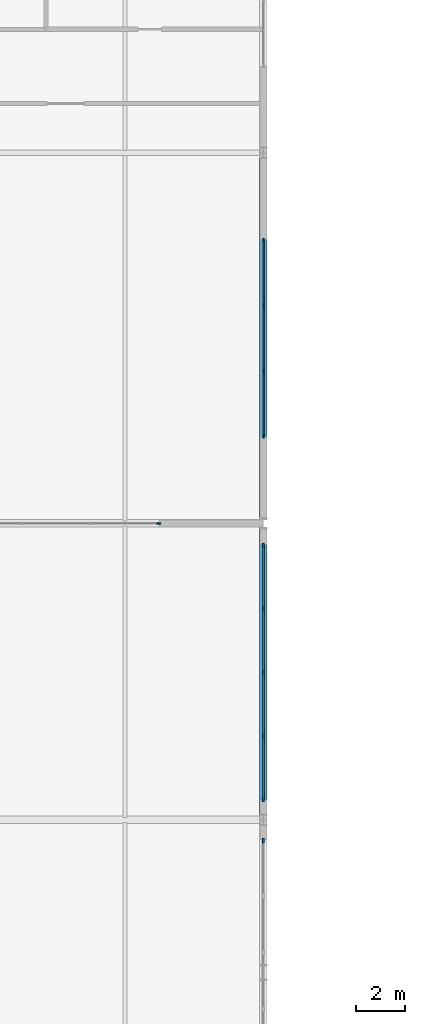
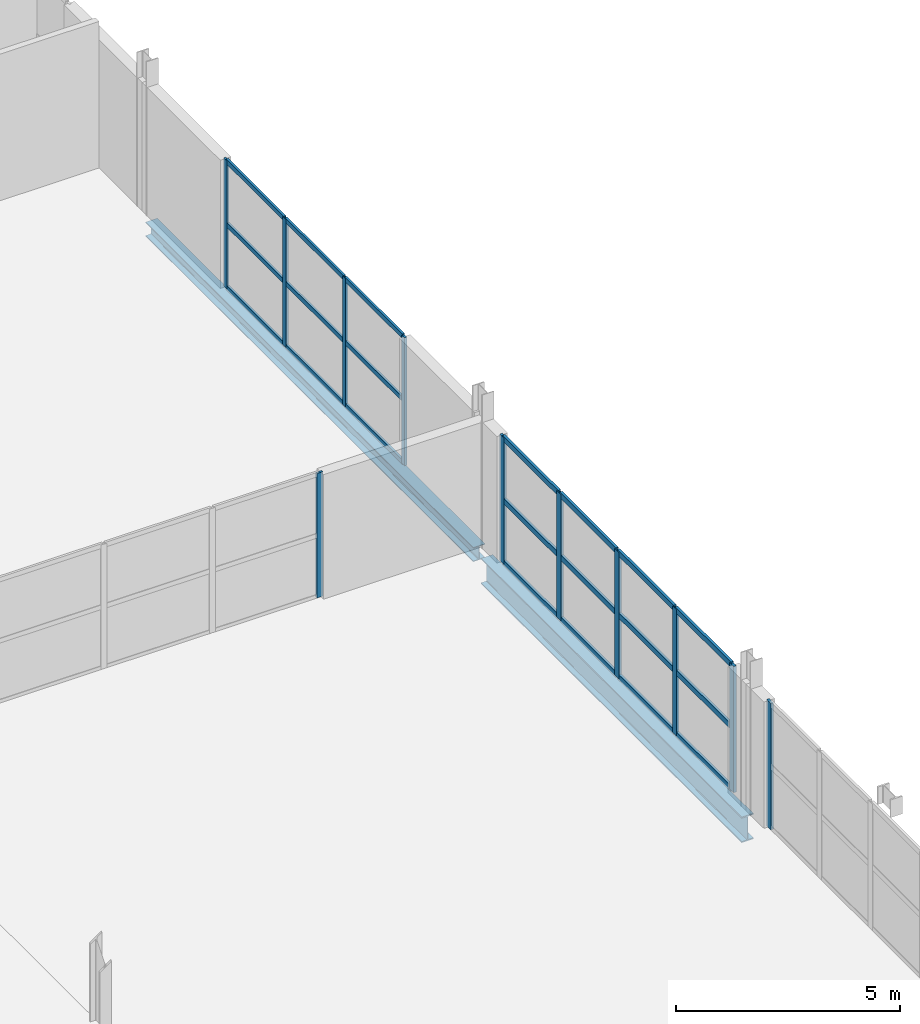
# One storey, part 21 of 39: 32 members, 2 beams, 4 elements without a shape of their own.
"""IFC4 building model written with IfcOpenShell, lengths in metres."""

import ifcopenshell
import ifcopenshell.guid

model = None  # the IFC model being written
_history = None  # IfcOwnerHistory: only IFC2X3 demands one
_inside = {}  # id of a spatial element -> (the spatial element, [elements in it])
_under = {}  # id of a project, library or spatial element -> (it, [spatial elements below it])
_declared = {}  # id of a project -> (the project, [libraries it declares])
_typed = {}  # id of a type object -> (the type object, [elements of that type])
_made_of = {}  # id of a material, layer set ... -> (it, [elements and type objects made of it])


def new_model(schema):
    """Start an empty IFC model of exactly this schema.

    Asked for "IFC4X3", IfcOpenShell would pick the latest addendum, in which some entities
    have other attributes; the version numbers below select the first issue.
    IFC2X3 requires an IfcOwnerHistory on every rooted entity: one is made here for all.
    """
    global model, _history
    if schema == "IFC4X3":
        model = ifcopenshell.file(schema_version=(4, 3, 0, 0))
    else:
        model = ifcopenshell.file(schema=schema)
    _inside.clear()
    _under.clear()
    _declared.clear()
    _typed.clear()
    _made_of.clear()
    _history = None
    if model.schema == "IFC2X3":
        org = make("IfcOrganization", Name="unknown")
        user = make(
            "IfcPersonAndOrganization",
            ThePerson=make("IfcPerson", FamilyName="unknown"),
            TheOrganization=org,
        )
        app = make(
            "IfcApplication",
            ApplicationDeveloper=org,
            Version="unknown",
            ApplicationFullName="unknown",
            ApplicationIdentifier="unknown",
        )
        _history = make(
            "IfcOwnerHistory",
            OwningUser=user,
            OwningApplication=app,
            ChangeAction="ADDED",
            CreationDate=0,
        )
    return model


def make(cls, **values):
    """One entity of the class cls with the attributes given. An attribute that is None is left unset."""
    return model.create_entity(
        cls, **{name: value for name, value in values.items() if value is not None}
    )


def rooted(cls, **values):
    """An entity with a GlobalId (a new one), such as an element, a storey or a relation."""
    return make(cls, GlobalId=ifcopenshell.guid.new(), OwnerHistory=_history, **values)


def si_unit(unit_type, name, prefix=None):
    """IfcSIUnit, for example si_unit("LENGTHUNIT", "METRE", prefix="MILLI")."""
    return make("IfcSIUnit", UnitType=unit_type, Prefix=prefix, Name=name)


def assignment(units):
    """IfcUnitAssignment: the units of a project."""
    return None if units is None else make("IfcUnitAssignment", Units=units)


def point(xyz):
    """IfcCartesianPoint."""
    return None if xyz is None else make("IfcCartesianPoint", Coordinates=xyz)


def direction(xyz):
    """IfcDirection."""
    return None if xyz is None else make("IfcDirection", DirectionRatios=xyz)


def frame(location, z_axis=None, x_axis=None):
    """IfcAxis2Placement3D, a coordinate frame: its origin and axes. An axis left out is left unset."""
    return make(
        "IfcAxis2Placement3D",
        Location=point(location),
        Axis=direction(z_axis),
        RefDirection=direction(x_axis),
    )


def frame_2d(location, x_axis=None):
    """IfcAxis2Placement2D, a coordinate frame in the plane: its origin and x axis."""
    return make(
        "IfcAxis2Placement2D", Location=point(location), RefDirection=direction(x_axis)
    )


def origin():
    """The frame at (0, 0, 0) with its axes left unset."""
    return frame((0.0, 0.0, 0.0))


def origin_2d():
    """The frame at (0, 0) in the plane with its x axis left unset."""
    return frame_2d((0.0, 0.0))


def place(relative_to, where):
    """IfcLocalPlacement: puts the frame where relative to a parent placement (None: the world)."""
    return make(
        "IfcLocalPlacement", PlacementRelTo=relative_to, RelativePlacement=where
    )


def context(
    kind, dimensions, precision=None, world=None, true_north=None, identifier=None
):
    """IfcGeometricRepresentationContext, for example the 3D "Model" context."""
    return make(
        "IfcGeometricRepresentationContext",
        ContextIdentifier=identifier,
        ContextType=kind,
        CoordinateSpaceDimension=dimensions,
        Precision=precision,
        WorldCoordinateSystem=world,
        TrueNorth=true_north,
    )


def subcontext(parent, identifier, kind, view, scale=None):
    """IfcGeometricRepresentationSubContext, for example "Body" below "Model"."""
    return make(
        "IfcGeometricRepresentationSubContext",
        ContextIdentifier=identifier,
        ContextType=kind,
        ParentContext=parent,
        TargetScale=scale,
        TargetView=view,
    )


def project(units=None, contexts=None):
    """IfcProject with its units and contexts."""
    return rooted(
        "IfcProject",
        Name="project",
        RepresentationContexts=contexts,
        UnitsInContext=assignment(units),
    )


def spatial(cls, under=None, at=None, **own):
    """A site, building, storey or space (cls), placed at a placement, below another one or the project."""
    s = rooted(cls, ObjectPlacement=at, **own)
    if under is not None:
        _under.setdefault(under.id(), (under, []))[1].append(s)
    return s


def profile(cls, at=None, kind="AREA", **sizes):
    """A parametric profile (cls). Its sizes go by their IFC names, for example OverallWidth=200.0."""
    return make(cls, ProfileType=kind, Position=at, **sizes)


def rectangle(**sizes):
    """IfcRectangleProfileDef."""
    return profile("IfcRectangleProfileDef", **sizes)


def i_section(**sizes):
    """IfcIShapeProfileDef."""
    return profile("IfcIShapeProfileDef", **sizes)


def extrude(swept, where, along, depth):
    """IfcExtrudedAreaSolid: the profile swept, set in the frame where, extruded along a direction by depth."""
    return make(
        "IfcExtrudedAreaSolid",
        SweptArea=swept,
        Position=where,
        ExtrudedDirection=direction(along),
        Depth=depth,
    )


def shape(context_of_items, identifier, shape_type, items):
    """IfcShapeRepresentation: the items that make up one representation, for example the "Body"."""
    return make(
        "IfcShapeRepresentation",
        ContextOfItems=context_of_items,
        RepresentationIdentifier=identifier,
        RepresentationType=shape_type,
        Items=items,
    )


def material(Name=None, Category=None):
    """IfcMaterial."""
    return make("IfcMaterial", Name=Name, Category=Category)


def material_profile(
    of_material, cross_section, Name=None, Category=None, Priority=None
):
    """IfcMaterialProfile: a cross section and its material."""
    return make(
        "IfcMaterialProfile",
        Name=Name,
        Material=of_material,
        Profile=cross_section,
        Priority=Priority,
        Category=Category,
    )


def profile_set(profiles, Name=None, composite=None):
    """IfcMaterialProfileSet."""
    return make(
        "IfcMaterialProfileSet",
        Name=Name,
        MaterialProfiles=profiles,
        CompositeProfile=composite,
    )


def made_of(thing, what):
    """Note that an element or type object is made of a material, layer set ...; save() writes the relation."""
    if what is not None:
        _made_of.setdefault(what.id(), (what, []))[1].append(thing)
    return thing


def type_object(cls, material=None, **own):
    """A type object (cls), such as IfcWallType, which elements share."""
    return made_of(rooted(cls, **own), material)


def element(
    cls,
    number,
    at=None,
    inside=None,
    cuts=None,
    type_object=None,
    material=None,
    context=None,
    identifier="Body",
    shape_type=None,
    held_by="IfcProductDefinitionShape",
    body=None,
    shapes=None,
    **own,
):
    """One element of the class cls, such as IfcWall. Its Tag is "e" and its number.

    at: its placement. inside: the storey or other place that contains it. cuts: it is an
    opening in that element (IfcRelVoidsElement). A single representation is given by context,
    identifier, shape_type and body (its items); several are given by shapes. held_by: the class
    of the entity that holds the representations. save() writes the other relations.
    """
    e = rooted(cls, Tag="e%d" % number, ObjectPlacement=at, **own)
    if body is not None:
        shapes = [shape(context, identifier, shape_type, body)]
    if shapes is not None:
        e.Representation = make(held_by, Representations=shapes)
    if inside is not None:
        _inside.setdefault(inside.id(), (inside, []))[1].append(e)
    if cuts is not None:
        rooted(
            "IfcRelVoidsElement", RelatingBuildingElement=cuts, RelatedOpeningElement=e
        )
    if type_object is not None:
        _typed.setdefault(type_object.id(), (type_object, []))[1].append(e)
    return made_of(e, material)


def aggregate(whole, parts):
    """IfcRelAggregates: a whole, such as a stair, and the parts it consists of."""
    return rooted("IfcRelAggregates", RelatingObject=whole, RelatedObjects=parts)


def save(model, path):
    """Write the relations noted so far, then the file.

    IfcRelAggregates (storeys below a building ...), IfcRelContainedInSpatialStructure (elements
    in a storey), IfcRelDefinesByType, IfcRelAssociatesMaterial and IfcRelDeclares: one each for
    every whole, place, type object, material and project.
    """
    for whole, parts in _under.values():
        aggregate(whole, parts)
    for where, things in _inside.values():
        rooted(
            "IfcRelContainedInSpatialStructure",
            RelatedElements=things,
            RelatingStructure=where,
        )
    for kind, things in _typed.values():
        rooted("IfcRelDefinesByType", RelatedObjects=things, RelatingType=kind)
    for what, things in _made_of.values():
        rooted("IfcRelAssociatesMaterial", RelatedObjects=things, RelatingMaterial=what)
    for by, libraries in _declared.values():
        rooted("IfcRelDeclares", RelatingContext=by, RelatedDefinitions=libraries)
    model.write(path)


model = new_model("IFC4")

# Units and contexts
model_context = context("Model", 3, precision=1e-05, world=origin(), true_north=direction((0.0, 1.0)))
body_context = subcontext(model_context, "Body", "Model", "MODEL_VIEW")
ifc_project = project(units=[si_unit("LENGTHUNIT", "METRE"), si_unit("AREAUNIT", "SQUARE_METRE"), si_unit("VOLUMEUNIT", "CUBIC_METRE"), si_unit("PLANEANGLEUNIT", "RADIAN"), si_unit("MASSUNIT", "GRAM", prefix="KILO")], contexts=[model_context])

# Site, building, storey
site_placement = place(None, origin())
site = spatial("IfcSite", under=ifc_project, at=site_placement, CompositionType="ELEMENT")
building_placement = place(site_placement, origin())
building = spatial("IfcBuilding", under=site, at=building_placement, Name="Kimbaza Rail Terminus", CompositionType="ELEMENT")
storey_placement = place(building_placement, frame((0.0, 0.0, 16.800048828125)))
storey = spatial("IfcBuildingStorey", under=building, at=storey_placement, Name="L03", CompositionType="ELEMENT", Elevation=16.800048828125)

# Curtain wall, member
ifc_material_1 = material(Name="Anodised aluminium framing and solar low-E glazing", Category="aluminium")
curtain_wall_type_1 = type_object("IfcCurtainWallType", Name="ARC-CW-BRG", PredefinedType="USERDEFINED", material=ifc_material_1)
curtain_wall_1_placement = place(storey_placement, origin())
curtain_wall_1 = element("IfcCurtainWall", 1, at=curtain_wall_1_placement, inside=storey, type_object=curtain_wall_type_1, Name="Over-Track Footbridge E Panoramic Curtain Wall 1", ObjectType="UNITISED CURTAIN WALL", PredefinedType="USERDEFINED")
ifc_material_2 = material(Name="Anodised architectural aluminium", Category="aluminium")
ifc_material_profile_1 = material_profile(ifc_material_2, rectangle(XDim=0.068115234375, YDim=0.18994140625, at=origin_2d()), Name="MULLION 68x190")
ifc_profile_set_1 = profile_set([ifc_material_profile_1], Name="Anodised architectural aluminium")
member_type_1 = type_object("IfcMemberType", Name="ARC-CWM-03", PredefinedType="MULLION", material=ifc_profile_set_1)
member_1_placement = place(storey_placement, frame((156.0, 90.166015625, 0.0), z_axis=(0.0, 0.0, 1.0), x_axis=(-1.0, 0.0, 0.0)))
member_1 = element("IfcMember", 2, at=member_1_placement, type_object=member_type_1, Name="CW-03 mullion 5", PredefinedType="MULLION", context=body_context, shape_type="SweptSolid", body=[
    extrude(rectangle(XDim=0.068115234375, YDim=0.18994140625, at=origin_2d()), origin(), (0.0, 0.0, 1.0), 3.449951171875),
])
aggregate(curtain_wall_1, [member_1])

# Curtain wall, members
curtain_wall_2_placement = place(storey_placement, origin())
curtain_wall_2 = element("IfcCurtainWall", 3, at=curtain_wall_2_placement, inside=storey, type_object=curtain_wall_type_1, Name="Over-Track Footbridge E Panoramic Curtain Wall 2", ObjectType="UNITISED CURTAIN WALL", PredefinedType="USERDEFINED")
member_2_placement = place(storey_placement, frame((156.0, 91.833984375, 0.0), z_axis=(0.0, 0.0, 1.0), x_axis=(-1.0, 0.0, 0.0)))
member_2 = element("IfcMember", 4, at=member_2_placement, type_object=member_type_1, Name="CW-03 mullion 1", PredefinedType="MULLION", context=body_context, shape_type="SweptSolid", body=[
    extrude(rectangle(XDim=0.068115234375, YDim=0.18994140625, at=origin_2d()), origin(), (0.0, 0.0, 1.0), 3.449951171875),
])
member_3_placement = place(storey_placement, frame((156.0, 94.385009765625, 0.0), z_axis=(0.0, 0.0, 1.0), x_axis=(-1.0, 0.0, 0.0)))
member_3 = element("IfcMember", 5, at=member_3_placement, type_object=member_type_1, Name="CW-03 mullion 2", PredefinedType="MULLION", context=body_context, shape_type="SweptSolid", body=[
    extrude(rectangle(XDim=0.068115234375, YDim=0.18994140625, at=origin_2d()), origin(), (0.0, 0.0, 1.0), 3.449951171875),
])
member_4_placement = place(storey_placement, frame((156.0, 96.969970703125, 0.0), z_axis=(0.0, 0.0, 1.0), x_axis=(-1.0, 0.0, 0.0)))
member_4 = element("IfcMember", 6, at=member_4_placement, type_object=member_type_1, Name="CW-03 mullion 3", PredefinedType="MULLION", context=body_context, shape_type="SweptSolid", body=[
    extrude(rectangle(XDim=0.068115234375, YDim=0.18994140625, at=origin_2d()), origin(), (0.0, 0.0, 1.0), 3.449951171875),
])
member_5_placement = place(storey_placement, frame((156.0, 99.554931640625, 0.0), z_axis=(0.0, 0.0, 1.0), x_axis=(-1.0, 0.0, 0.0)))
member_5 = element("IfcMember", 7, at=member_5_placement, type_object=member_type_1, Name="CW-03 mullion 4", PredefinedType="MULLION", context=body_context, shape_type="SweptSolid", body=[
    extrude(rectangle(XDim=0.068115234375, YDim=0.18994140625, at=origin_2d()), origin(), (0.0, 0.0, 1.0), 3.449951171875),
])
member_6_placement = place(storey_placement, frame((156.0, 102.10595703125, 0.0), z_axis=(0.0, 0.0, 1.0), x_axis=(-1.0, 0.0, 0.0)))
member_6 = element("IfcMember", 8, at=member_6_placement, type_object=member_type_1, Name="CW-03 mullion 5", PredefinedType="MULLION", context=body_context, shape_type="SweptSolid", body=[
    extrude(rectangle(XDim=0.068115234375, YDim=0.18994140625, at=origin_2d()), origin(), (0.0, 0.0, 1.0), 3.449951171875),
])

# Curtain wall, member
ifc_material_3 = material(Name="Anodised aluminium framing and solar low-E glazing", Category="aluminium")
curtain_wall_type_2 = type_object("IfcCurtainWallType", Name="ARC-CW-OP2", PredefinedType="USERDEFINED", material=ifc_material_3)
curtain_wall_3_placement = place(storey_placement, origin())
curtain_wall_3 = element("IfcCurtainWall", 9, at=curtain_wall_3_placement, inside=storey, type_object=curtain_wall_type_2, Name="Operations South Curtain Wall L03 Bay 6", ObjectType="STICK CURTAIN WALL", PredefinedType="USERDEFINED")
ifc_material_4 = material(Name="Anodised architectural aluminium", Category="aluminium")
ifc_material_profile_2 = material_profile(ifc_material_4, rectangle(XDim=0.05810546875, YDim=0.14990234375, at=origin_2d()), Name="MULLION 58x150")
ifc_profile_set_2 = profile_set([ifc_material_profile_2], Name="Anodised architectural aluminium")
member_type_2 = type_object("IfcMemberType", Name="ARC-CWM-06", PredefinedType="MULLION", material=ifc_profile_set_2)
member_7_placement = place(storey_placement, frame((151.77099609375, 103.0, 0.0), z_axis=(0.0, 0.0, 1.0), x_axis=(0.0, 1.0, 0.0)))
member_7 = element("IfcMember", 10, at=member_7_placement, type_object=member_type_2, Name="CW-06 mullion 4", PredefinedType="MULLION", context=body_context, shape_type="SweptSolid", body=[
    extrude(rectangle(XDim=0.05810546875, YDim=0.14990234375, at=origin_2d()), origin(), (0.0, 0.0, 1.0), 3.39501953125),
])
aggregate(curtain_wall_3, [member_7])

# Curtain wall, members
curtain_wall_4_placement = place(storey_placement, origin())
curtain_wall_4 = element("IfcCurtainWall", 11, at=curtain_wall_4_placement, inside=storey, type_object=curtain_wall_type_2, Name="Operations E Curtain Wall L03.1", ObjectType="STICK CURTAIN WALL", PredefinedType="USERDEFINED")
member_8_placement = place(storey_placement, frame((156.0, 106.529052734375, 0.0), z_axis=(0.0, 0.0, 1.0), x_axis=(-1.0, 0.0, 0.0)))
member_8 = element("IfcMember", 12, at=member_8_placement, type_object=member_type_2, Name="CW-06 mullion 1", PredefinedType="MULLION", context=body_context, shape_type="SweptSolid", body=[
    extrude(rectangle(XDim=0.05810546875, YDim=0.14990234375, at=origin_2d()), origin(), (0.0, 0.0, 1.0), 3.494873046875),
])
member_9_placement = place(storey_placement, frame((156.0, 109.166748046875, 0.0), z_axis=(0.0, 0.0, 1.0), x_axis=(-1.0, 0.0, 0.0)))
member_9 = element("IfcMember", 13, at=member_9_placement, type_object=member_type_2, Name="CW-06 mullion 2", PredefinedType="MULLION", context=body_context, shape_type="SweptSolid", body=[
    extrude(rectangle(XDim=0.05810546875, YDim=0.14990234375, at=origin_2d()), origin(), (0.0, 0.0, 1.0), 3.494873046875),
])
member_10_placement = place(storey_placement, frame((156.0, 111.833251953125, 0.0), z_axis=(0.0, 0.0, 1.0), x_axis=(-1.0, 0.0, 0.0)))
member_10 = element("IfcMember", 14, at=member_10_placement, type_object=member_type_2, Name="CW-06 mullion 3", PredefinedType="MULLION", context=body_context, shape_type="SweptSolid", body=[
    extrude(rectangle(XDim=0.05810546875, YDim=0.14990234375, at=origin_2d()), origin(), (0.0, 0.0, 1.0), 3.494873046875),
])
member_11_placement = place(storey_placement, frame((156.0, 114.470947265625, 0.0), z_axis=(0.0, 0.0, 1.0), x_axis=(-1.0, 0.0, 0.0)))
member_11 = element("IfcMember", 15, at=member_11_placement, type_object=member_type_2, Name="CW-06 mullion 4", PredefinedType="MULLION", context=body_context, shape_type="SweptSolid", body=[
    extrude(rectangle(XDim=0.05810546875, YDim=0.14990234375, at=origin_2d()), origin(), (0.0, 0.0, 1.0), 3.494873046875),
])

# Member
ifc_material_5 = material(Name="Anodised architectural aluminium", Category="aluminium")
ifc_material_profile_3 = material_profile(ifc_material_5, rectangle(XDim=0.068115234375, YDim=0.14990234375, at=origin_2d()), Name="TRANSOM 68x150")
ifc_profile_set_3 = profile_set([ifc_material_profile_3], Name="Anodised architectural aluminium")
member_type_3 = type_object("IfcMemberType", Name="ARC-CWT-03", PredefinedType="USERDEFINED", material=ifc_profile_set_3)
member_12_placement = place(storey_placement, frame((156.0, 91.867919921875, 0.033935546875), z_axis=(0.0, 1.0, 0.0), x_axis=(-1.0, 0.0, 0.0)))
member_12 = element("IfcMember", 16, at=member_12_placement, type_object=member_type_3, Name="CW-03 transom 1.1", ObjectType="TRANSOM", PredefinedType="USERDEFINED", context=body_context, shape_type="SweptSolid", body=[
    extrude(rectangle(XDim=0.068115234375, YDim=0.14990234375, at=origin_2d()), origin(), (0.0, 0.0, 1.0), 2.483154296875),
])

member_13_placement = place(storey_placement, frame((156.0, 91.867919921875, 1.724853515625), z_axis=(0.0, 1.0, 0.0), x_axis=(-1.0, 0.0, 0.0)))
member_13 = element("IfcMember", 17, at=member_13_placement, type_object=member_type_3, Name="CW-03 transom 1.2", ObjectType="TRANSOM", PredefinedType="USERDEFINED", context=body_context, shape_type="SweptSolid", body=[
    extrude(rectangle(XDim=0.068115234375, YDim=0.14990234375, at=origin_2d()), origin(), (0.0, 0.0, 1.0), 2.483154296875),
])

member_14_placement = place(storey_placement, frame((156.0, 91.867919921875, 3.416015625), z_axis=(0.0, 1.0, 0.0), x_axis=(-1.0, 0.0, 0.0)))
member_14 = element("IfcMember", 18, at=member_14_placement, type_object=member_type_3, Name="CW-03 transom 1.3", ObjectType="TRANSOM", PredefinedType="USERDEFINED", context=body_context, shape_type="SweptSolid", body=[
    extrude(rectangle(XDim=0.068115234375, YDim=0.14990234375, at=origin_2d()), origin(), (0.0, 0.0, 1.0), 2.483154296875),
])

member_15_placement = place(storey_placement, frame((156.0, 94.4189453125, 0.033935546875), z_axis=(0.0, 1.0, 0.0), x_axis=(-1.0, 0.0, 0.0)))
member_15 = element("IfcMember", 19, at=member_15_placement, type_object=member_type_3, Name="CW-03 transom 2.1", ObjectType="TRANSOM", PredefinedType="USERDEFINED", context=body_context, shape_type="SweptSolid", body=[
    extrude(rectangle(XDim=0.068115234375, YDim=0.14990234375, at=origin_2d()), origin(), (0.0, 0.0, 1.0), 2.51708984375),
])

member_16_placement = place(storey_placement, frame((156.0, 94.4189453125, 1.724853515625), z_axis=(0.0, 1.0, 0.0), x_axis=(-1.0, 0.0, 0.0)))
member_16 = element("IfcMember", 20, at=member_16_placement, type_object=member_type_3, Name="CW-03 transom 2.2", ObjectType="TRANSOM", PredefinedType="USERDEFINED", context=body_context, shape_type="SweptSolid", body=[
    extrude(rectangle(XDim=0.068115234375, YDim=0.14990234375, at=origin_2d()), origin(), (0.0, 0.0, 1.0), 2.51708984375),
])

member_17_placement = place(storey_placement, frame((156.0, 94.4189453125, 3.416015625), z_axis=(0.0, 1.0, 0.0), x_axis=(-1.0, 0.0, 0.0)))
member_17 = element("IfcMember", 21, at=member_17_placement, type_object=member_type_3, Name="CW-03 transom 2.3", ObjectType="TRANSOM", PredefinedType="USERDEFINED", context=body_context, shape_type="SweptSolid", body=[
    extrude(rectangle(XDim=0.068115234375, YDim=0.14990234375, at=origin_2d()), origin(), (0.0, 0.0, 1.0), 2.51708984375),
])

member_18_placement = place(storey_placement, frame((156.0, 97.00390625, 0.033935546875), z_axis=(0.0, 1.0, 0.0), x_axis=(-1.0, 0.0, 0.0)))
member_18 = element("IfcMember", 22, at=member_18_placement, type_object=member_type_3, Name="CW-03 transom 3.1", ObjectType="TRANSOM", PredefinedType="USERDEFINED", context=body_context, shape_type="SweptSolid", body=[
    extrude(rectangle(XDim=0.068115234375, YDim=0.14990234375, at=origin_2d()), origin(), (0.0, 0.0, 1.0), 2.51708984375),
])

member_19_placement = place(storey_placement, frame((156.0, 97.00390625, 1.724853515625), z_axis=(0.0, 1.0, 0.0), x_axis=(-1.0, 0.0, 0.0)))
member_19 = element("IfcMember", 23, at=member_19_placement, type_object=member_type_3, Name="CW-03 transom 3.2", ObjectType="TRANSOM", PredefinedType="USERDEFINED", context=body_context, shape_type="SweptSolid", body=[
    extrude(rectangle(XDim=0.068115234375, YDim=0.14990234375, at=origin_2d()), origin(), (0.0, 0.0, 1.0), 2.51708984375),
])

member_20_placement = place(storey_placement, frame((156.0, 97.00390625, 3.416015625), z_axis=(0.0, 1.0, 0.0), x_axis=(-1.0, 0.0, 0.0)))
member_20 = element("IfcMember", 24, at=member_20_placement, type_object=member_type_3, Name="CW-03 transom 3.3", ObjectType="TRANSOM", PredefinedType="USERDEFINED", context=body_context, shape_type="SweptSolid", body=[
    extrude(rectangle(XDim=0.068115234375, YDim=0.14990234375, at=origin_2d()), origin(), (0.0, 0.0, 1.0), 2.51708984375),
])

member_21_placement = place(storey_placement, frame((156.0, 99.589111328125, 0.033935546875), z_axis=(0.0, 1.0, 0.0), x_axis=(-1.0, 0.0, 0.0)))
member_21 = element("IfcMember", 25, at=member_21_placement, type_object=member_type_3, Name="CW-03 transom 4.1", ObjectType="TRANSOM", PredefinedType="USERDEFINED", context=body_context, shape_type="SweptSolid", body=[
    extrude(rectangle(XDim=0.068115234375, YDim=0.14990234375, at=origin_2d()), origin(), (0.0, 0.0, 1.0), 2.48291015625),
])

member_22_placement = place(storey_placement, frame((156.0, 99.589111328125, 1.724853515625), z_axis=(0.0, 1.0, 0.0), x_axis=(-1.0, 0.0, 0.0)))
member_22 = element("IfcMember", 26, at=member_22_placement, type_object=member_type_3, Name="CW-03 transom 4.2", ObjectType="TRANSOM", PredefinedType="USERDEFINED", context=body_context, shape_type="SweptSolid", body=[
    extrude(rectangle(XDim=0.068115234375, YDim=0.14990234375, at=origin_2d()), origin(), (0.0, 0.0, 1.0), 2.48291015625),
])

member_23_placement = place(storey_placement, frame((156.0, 99.589111328125, 3.416015625), z_axis=(0.0, 1.0, 0.0), x_axis=(-1.0, 0.0, 0.0)))
member_23 = element("IfcMember", 27, at=member_23_placement, type_object=member_type_3, Name="CW-03 transom 4.3", ObjectType="TRANSOM", PredefinedType="USERDEFINED", context=body_context, shape_type="SweptSolid", body=[
    extrude(rectangle(XDim=0.068115234375, YDim=0.14990234375, at=origin_2d()), origin(), (0.0, 0.0, 1.0), 2.48291015625),
])

aggregate(curtain_wall_2, [member_2, member_3, member_4, member_5, member_6, member_12, member_13, member_14, member_15, member_16, member_17, member_18, member_19, member_20, member_21, member_22, member_23])

ifc_material_6 = material(Name="Anodised architectural aluminium", Category="aluminium")
ifc_material_profile_4 = material_profile(ifc_material_6, rectangle(XDim=0.05810546875, YDim=0.125, at=origin_2d()), Name="TRANSOM 58x125")
ifc_profile_set_4 = profile_set([ifc_material_profile_4], Name="Anodised architectural aluminium")
member_type_4 = type_object("IfcMemberType", Name="ARC-CWT-06", PredefinedType="USERDEFINED", material=ifc_profile_set_4)
member_24_placement = place(storey_placement, frame((156.0, 106.55810546875, 0.029052734375), z_axis=(0.0, 1.0, 0.0), x_axis=(-1.0, 0.0, 0.0)))
member_24 = element("IfcMember", 28, at=member_24_placement, type_object=member_type_4, Name="CW-06 transom 1.1", ObjectType="TRANSOM", PredefinedType="USERDEFINED", context=body_context, shape_type="SweptSolid", body=[
    extrude(rectangle(XDim=0.05810546875, YDim=0.125, at=origin_2d()), origin(), (0.0, 0.0, 1.0), 2.57958984375),
])

member_25_placement = place(storey_placement, frame((156.0, 106.55810546875, 1.74755859375), z_axis=(0.0, 1.0, 0.0), x_axis=(-1.0, 0.0, 0.0)))
member_25 = element("IfcMember", 29, at=member_25_placement, type_object=member_type_4, Name="CW-06 transom 1.2", ObjectType="TRANSOM", PredefinedType="USERDEFINED", context=body_context, shape_type="SweptSolid", body=[
    extrude(rectangle(XDim=0.05810546875, YDim=0.125, at=origin_2d()), origin(), (0.0, 0.0, 1.0), 2.57958984375),
])

member_26_placement = place(storey_placement, frame((156.0, 106.55810546875, 3.466064453125), z_axis=(0.0, 1.0, 0.0), x_axis=(-1.0, 0.0, 0.0)))
member_26 = element("IfcMember", 30, at=member_26_placement, type_object=member_type_4, Name="CW-06 transom 1.3", ObjectType="TRANSOM", PredefinedType="USERDEFINED", context=body_context, shape_type="SweptSolid", body=[
    extrude(rectangle(XDim=0.05810546875, YDim=0.125, at=origin_2d()), origin(), (0.0, 0.0, 1.0), 2.57958984375),
])

member_27_placement = place(storey_placement, frame((156.0, 109.195556640625, 0.029052734375), z_axis=(0.0, 1.0, 0.0), x_axis=(-1.0, 0.0, 0.0)))
member_27 = element("IfcMember", 31, at=member_27_placement, type_object=member_type_4, Name="CW-06 transom 2.1", ObjectType="TRANSOM", PredefinedType="USERDEFINED", context=body_context, shape_type="SweptSolid", body=[
    extrude(rectangle(XDim=0.05810546875, YDim=0.125, at=origin_2d()), origin(), (0.0, 0.0, 1.0), 2.60888671875),
])

member_28_placement = place(storey_placement, frame((156.0, 109.195556640625, 1.74755859375), z_axis=(0.0, 1.0, 0.0), x_axis=(-1.0, 0.0, 0.0)))
member_28 = element("IfcMember", 32, at=member_28_placement, type_object=member_type_4, Name="CW-06 transom 2.2", ObjectType="TRANSOM", PredefinedType="USERDEFINED", context=body_context, shape_type="SweptSolid", body=[
    extrude(rectangle(XDim=0.05810546875, YDim=0.125, at=origin_2d()), origin(), (0.0, 0.0, 1.0), 2.60888671875),
])

member_29_placement = place(storey_placement, frame((156.0, 109.195556640625, 3.466064453125), z_axis=(0.0, 1.0, 0.0), x_axis=(-1.0, 0.0, 0.0)))
member_29 = element("IfcMember", 33, at=member_29_placement, type_object=member_type_4, Name="CW-06 transom 2.3", ObjectType="TRANSOM", PredefinedType="USERDEFINED", context=body_context, shape_type="SweptSolid", body=[
    extrude(rectangle(XDim=0.05810546875, YDim=0.125, at=origin_2d()), origin(), (0.0, 0.0, 1.0), 2.60888671875),
])

member_30_placement = place(storey_placement, frame((156.0, 111.8623046875, 0.029052734375), z_axis=(0.0, 1.0, 0.0), x_axis=(-1.0, 0.0, 0.0)))
member_30 = element("IfcMember", 34, at=member_30_placement, type_object=member_type_4, Name="CW-06 transom 3.1", ObjectType="TRANSOM", PredefinedType="USERDEFINED", context=body_context, shape_type="SweptSolid", body=[
    extrude(rectangle(XDim=0.05810546875, YDim=0.125, at=origin_2d()), origin(), (0.0, 0.0, 1.0), 2.57958984375),
])

member_31_placement = place(storey_placement, frame((156.0, 111.8623046875, 1.74755859375), z_axis=(0.0, 1.0, 0.0), x_axis=(-1.0, 0.0, 0.0)))
member_31 = element("IfcMember", 35, at=member_31_placement, type_object=member_type_4, Name="CW-06 transom 3.2", ObjectType="TRANSOM", PredefinedType="USERDEFINED", context=body_context, shape_type="SweptSolid", body=[
    extrude(rectangle(XDim=0.05810546875, YDim=0.125, at=origin_2d()), origin(), (0.0, 0.0, 1.0), 2.57958984375),
])

member_32_placement = place(storey_placement, frame((156.0, 111.8623046875, 3.466064453125), z_axis=(0.0, 1.0, 0.0), x_axis=(-1.0, 0.0, 0.0)))
member_32 = element("IfcMember", 36, at=member_32_placement, type_object=member_type_4, Name="CW-06 transom 3.3", ObjectType="TRANSOM", PredefinedType="USERDEFINED", context=body_context, shape_type="SweptSolid", body=[
    extrude(rectangle(XDim=0.05810546875, YDim=0.125, at=origin_2d()), origin(), (0.0, 0.0, 1.0), 2.57958984375),
])

aggregate(curtain_wall_4, [member_8, member_9, member_10, member_11, member_24, member_25, member_26, member_27, member_28, member_29, member_30, member_31, member_32])

# Beams
ifc_material_7 = material(Name="Steel S355", Category="steel")
ifc_material_profile_5 = material_profile(ifc_material_7, i_section(OverallWidth=0.300048828125, OverallDepth=0.389892578125, WebThickness=0.010986328125, FlangeThickness=0.01904296875, FilletRadius=0.027099609375, at=origin_2d()), Name="HEA 400")
ifc_profile_set_5 = profile_set([ifc_material_profile_5], Name="Steel S355")
beam_type_1 = type_object("IfcBeamType", Name="STR-BM-HEA400", PredefinedType="SPANDREL", material=ifc_profile_set_5)
beam_1_placement = place(storey_placement, frame((156.0, 103.175048828125, -0.39501953125), z_axis=(0.0, 1.0, 0.0), x_axis=(-1.0, 0.0, 0.0)))
element("IfcBeam", 37, at=beam_1_placement, inside=storey, type_object=beam_type_1, Name="Operations Cross Girder L03 X6-Y0", PredefinedType="SPANDREL", context=body_context, shape_type="SweptSolid", body=[
    extrude(i_section(OverallWidth=0.300048828125, OverallDepth=0.389892578125, WebThickness=0.010986328125, FlangeThickness=0.01904296875, FilletRadius=0.027099609375, at=origin_2d()), origin(), (0.0, 0.0, 1.0), 14.64990234375),
])
ifc_material_8 = material(Name="Steel S355", Category="steel")
ifc_material_profile_6 = material_profile(ifc_material_8, i_section(OverallWidth=0.300048828125, OverallDepth=0.699951171875, WebThickness=0.01708984375, FlangeThickness=0.031982421875, FilletRadius=0.027099609375, at=origin_2d()), Name="HEB 700")
ifc_profile_set_6 = profile_set([ifc_material_profile_6], Name="Steel S355")
beam_type_2 = type_object("IfcBeamType", Name="STR-BM-HEB700", PredefinedType="USERDEFINED", material=ifc_profile_set_6)
beam_2_placement = place(storey_placement, frame((156.0, 91.175048828125, -0.630126953125), z_axis=(0.0, 1.0, 0.0), x_axis=(-1.0, 0.0, 0.0)))
element("IfcBeam", 38, at=beam_2_placement, inside=storey, type_object=beam_type_2, Name="Beam BM-BRGY-156-91", ObjectType="GIRDER", PredefinedType="USERDEFINED", context=body_context, shape_type="SweptSolid", body=[
    extrude(i_section(OverallWidth=0.300048828125, OverallDepth=0.699951171875, WebThickness=0.01708984375, FlangeThickness=0.031982421875, FilletRadius=0.027099609375, at=origin_2d()), origin(), (0.0, 0.0, 1.0), 11.64990234375),
])

save(model, "model.ifc")
